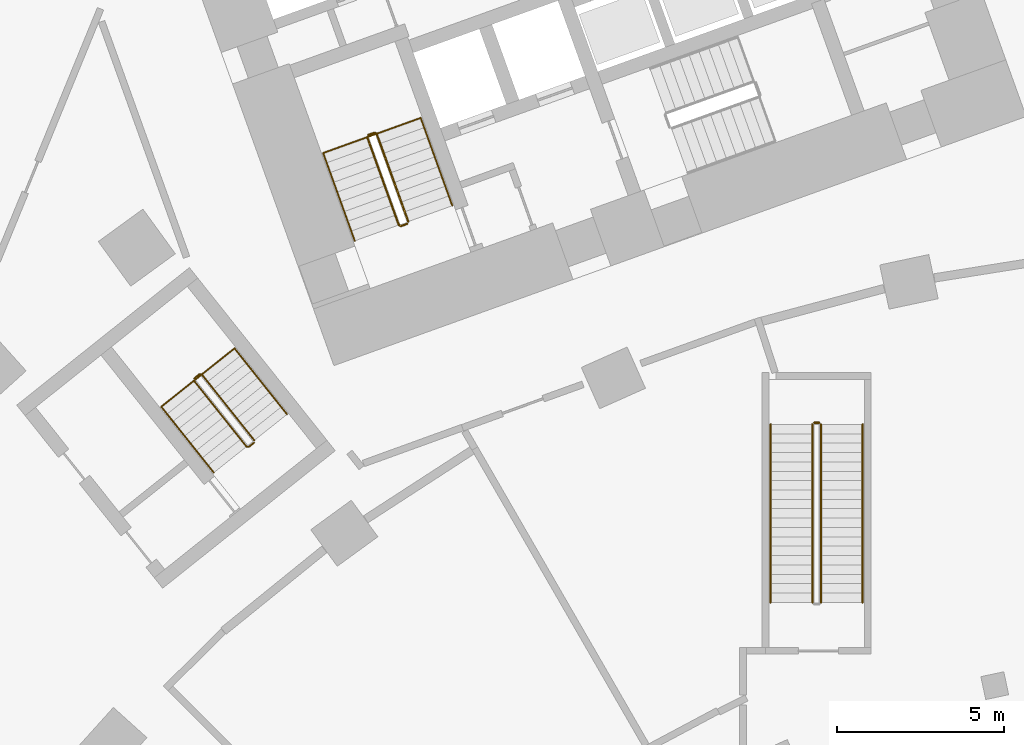
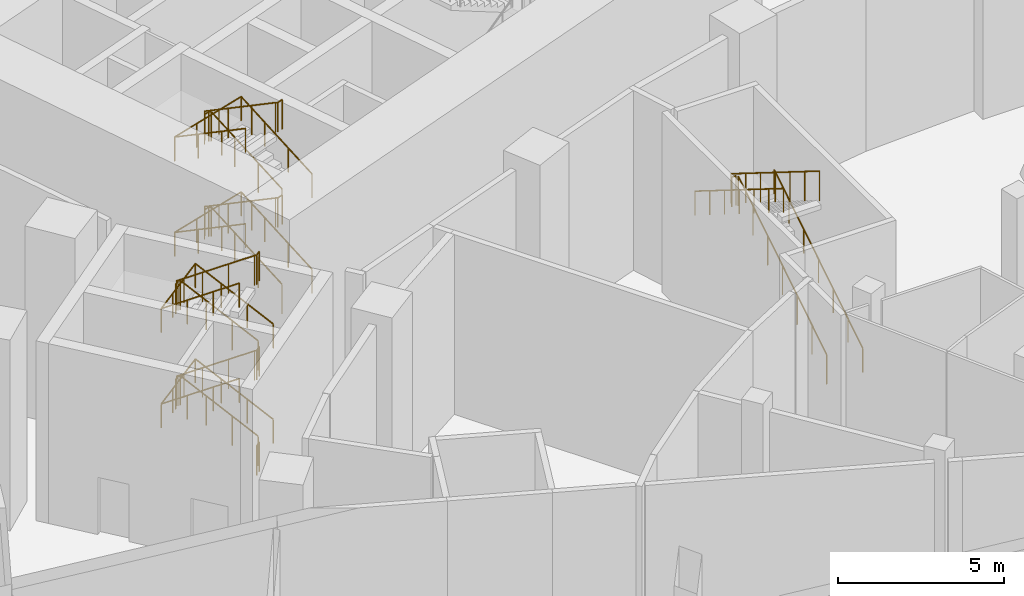
# One storey, part 51 of 60: 18 railings.
"""IFC4 building model written with IfcOpenShell, lengths in metres."""

from ifc_helpers import new_model, si_unit, direction, frame, origin, origin_2d, place, context, subcontext, project, spatial, circle, extrude, material, type_object, element, save


model = new_model("IFC4")

# Units and contexts
model_context = context("Model", 3, precision=1e-05, world=origin(), true_north=direction((0.0, 1.0)))
body_context = subcontext(model_context, "Body", "Model", "MODEL_VIEW")
ifc_project = project(units=[si_unit("LENGTHUNIT", "METRE"), si_unit("AREAUNIT", "SQUARE_METRE"), si_unit("VOLUMEUNIT", "CUBIC_METRE"), si_unit("PLANEANGLEUNIT", "RADIAN"), si_unit("MASSUNIT", "GRAM", prefix="KILO")], contexts=[model_context])

# Site, building, storey
site_placement = place(None, origin())
site = spatial("IfcSite", under=ifc_project, at=site_placement, CompositionType="ELEMENT")
building_placement = place(site_placement, origin())
building = spatial("IfcBuilding", under=site, at=building_placement, Name="Stone Belt Terrace Tower", CompositionType="ELEMENT")
storey_placement = place(building_placement, origin())
storey = spatial("IfcBuildingStorey", under=building, at=storey_placement, Name="L00", CompositionType="ELEMENT", Elevation=0.0)

# Railings
ifc_material_1 = material(Name="Steel balustrade", Category="steel")
railing_type_1 = type_object("IfcRailingType", Name="Podium stair guard", PredefinedType="GUARDRAIL", material=ifc_material_1)
railing_1_placement = place(storey_placement, frame((-11.875, 33.889892578125, 0.175048828125)))
element("IfcRailing", 1, at=railing_1_placement, inside=storey, type_object=railing_type_1, Name="L00 PS5 stair guard 1", PredefinedType="GUARDRAIL", context=body_context, shape_type="SweptSolid", body=[
    extrude(circle(Radius=0.02392578125, at=origin_2d()), frame((0.0, 0.0, 1.076171875), z_axis=(0.0, 0.848004862711, 0.52998844593), x_axis=(-1.0, 0.0, 0.0)), (0.0, 0.0, 1.0), 6.273681640625),
    extrude(circle(Radius=0.02099609375, at=origin_2d()), origin(), (0.0, 0.0, 1.0), 1.052001953125),
    extrude(circle(Radius=0.02099609375, at=origin_2d()), frame((0.0, 0.88671875, 0.55419921875)), (0.0, 0.0, 1.0), 1.052001953125),
    extrude(circle(Radius=0.02099609375, at=origin_2d()), frame((0.0, 1.7734375, 1.1083984375)), (0.0, 0.0, 1.0), 1.052001953125),
    extrude(circle(Radius=0.02099609375, at=origin_2d()), frame((0.0, 2.66015625, 1.66259765625)), (0.0, 0.0, 1.0), 1.052001953125),
    extrude(circle(Radius=0.02099609375, at=origin_2d()), frame((0.0, 3.546630859375, 2.216552734375)), (0.0, 0.0, 1.0), 1.052001953125),
    extrude(circle(Radius=0.02099609375, at=origin_2d()), frame((0.0, 4.433349609375, 2.770751953125)), (0.0, 0.0, 1.0), 1.052001953125),
    extrude(circle(Radius=0.02099609375, at=origin_2d()), frame((0.0, 5.320068359375, 3.324951171875)), (0.0, 0.0, 1.0), 1.052001953125),
])
railing_2_placement = place(storey_placement, frame((-11.925048828125, 39.260009765625, 3.5)))
element("IfcRailing", 2, at=railing_2_placement, inside=storey, type_object=railing_type_1, Name="L00 PS5 stair guard 2", PredefinedType="GUARDRAIL", context=body_context, shape_type="SweptSolid", body=[
    extrude(circle(Radius=0.02392578125, at=origin_2d()), frame((0.0, 0.0, 1.076171875), z_axis=(-1.0, 0.0, 0.0), x_axis=(0.0, -1.0, 0.0)), (0.0, 0.0, 1.0), 0.14990234375),
    extrude(circle(Radius=0.02099609375, at=origin_2d()), origin(), (0.0, 0.0, 1.0), 1.052001953125),
    extrude(circle(Radius=0.02099609375, at=origin_2d()), frame((-0.14990234375, 0.0, 0.0)), (0.0, 0.0, 1.0), 1.052001953125),
])
railing_3_placement = place(storey_placement, frame((-12.125, 39.2099609375, 3.675048828125)))
element("IfcRailing", 3, at=railing_3_placement, inside=storey, type_object=railing_type_1, Name="L00 PS5 stair guard 3", PredefinedType="GUARDRAIL", context=body_context, shape_type="SweptSolid", body=[
    extrude(circle(Radius=0.02392578125, at=origin_2d()), frame((0.0, 0.0, 1.076171875), z_axis=(0.0, -0.848004862711, 0.52998844593), x_axis=(1.0, 0.0, 0.0)), (0.0, 0.0, 1.0), 6.273681640625),
    extrude(circle(Radius=0.02099609375, at=origin_2d()), origin(), (0.0, 0.0, 1.0), 1.052001953125),
    extrude(circle(Radius=0.02099609375, at=origin_2d()), frame((0.0, -0.88671875, 0.55419921875)), (0.0, 0.0, 1.0), 1.052001953125),
    extrude(circle(Radius=0.02099609375, at=origin_2d()), frame((0.0, -1.7734375, 1.1083984375)), (0.0, 0.0, 1.0), 1.052001953125),
    extrude(circle(Radius=0.02099609375, at=origin_2d()), frame((0.0, -2.66015625, 1.66259765625)), (0.0, 0.0, 1.0), 1.052001953125),
    extrude(circle(Radius=0.02099609375, at=origin_2d()), frame((0.0, -3.546630859375, 2.216552734375)), (0.0, 0.0, 1.0), 1.052001953125),
    extrude(circle(Radius=0.02099609375, at=origin_2d()), frame((0.0, -4.433349609375, 2.770751953125)), (0.0, 0.0, 1.0), 1.052001953125),
    extrude(circle(Radius=0.02099609375, at=origin_2d()), frame((0.0, -5.320068359375, 3.324951171875)), (0.0, 0.0, 1.0), 1.052001953125),
])
ifc_material_2 = material(Name="Stainless steel handrail", Category="steel")
railing_type_2 = type_object("IfcRailingType", Name="Podium stair handrail", PredefinedType="HANDRAIL", material=ifc_material_2)
railing_4_placement = place(storey_placement, frame((-10.625, 33.889892578125, 0.175048828125)))
element("IfcRailing", 4, at=railing_4_placement, inside=storey, type_object=railing_type_2, Name="L00 PS5 stair handrail 1", PredefinedType="HANDRAIL", context=body_context, shape_type="SweptSolid", body=[
    extrude(circle(Radius=0.02392578125, at=origin_2d()), frame((0.0, 0.0, 0.8759765625), z_axis=(0.0, 0.848004862711, 0.52998844593), x_axis=(-1.0, 0.0, 0.0)), (0.0, 0.0, 1.0), 6.273681640625),
    extrude(circle(Radius=0.02099609375, at=origin_2d()), origin(), (0.0, 0.0, 1.0), 0.851806640625),
    extrude(circle(Radius=0.02099609375, at=origin_2d()), frame((0.0, 0.88671875, 0.55419921875)), (0.0, 0.0, 1.0), 0.851806640625),
    extrude(circle(Radius=0.02099609375, at=origin_2d()), frame((0.0, 1.7734375, 1.1083984375)), (0.0, 0.0, 1.0), 0.851806640625),
    extrude(circle(Radius=0.02099609375, at=origin_2d()), frame((0.0, 2.66015625, 1.66259765625)), (0.0, 0.0, 1.0), 0.851806640625),
    extrude(circle(Radius=0.02099609375, at=origin_2d()), frame((0.0, 3.546630859375, 2.216552734375)), (0.0, 0.0, 1.0), 0.851806640625),
    extrude(circle(Radius=0.02099609375, at=origin_2d()), frame((0.0, 4.433349609375, 2.770751953125)), (0.0, 0.0, 1.0), 0.851806640625),
    extrude(circle(Radius=0.02099609375, at=origin_2d()), frame((0.0, 5.320068359375, 3.324951171875)), (0.0, 0.0, 1.0), 0.851806640625),
])
railing_5_placement = place(storey_placement, frame((-13.375, 39.2099609375, 3.675048828125)))
element("IfcRailing", 5, at=railing_5_placement, inside=storey, type_object=railing_type_2, Name="L00 PS5 stair handrail 2", PredefinedType="HANDRAIL", context=body_context, shape_type="SweptSolid", body=[
    extrude(circle(Radius=0.02392578125, at=origin_2d()), frame((0.0, 0.0, 0.8759765625), z_axis=(0.0, -0.848004862711, 0.52998844593), x_axis=(1.0, 0.0, 0.0)), (0.0, 0.0, 1.0), 6.273681640625),
    extrude(circle(Radius=0.02099609375, at=origin_2d()), origin(), (0.0, 0.0, 1.0), 0.851806640625),
    extrude(circle(Radius=0.02099609375, at=origin_2d()), frame((0.0, -0.88671875, 0.55419921875)), (0.0, 0.0, 1.0), 0.851806640625),
    extrude(circle(Radius=0.02099609375, at=origin_2d()), frame((0.0, -1.7734375, 1.1083984375)), (0.0, 0.0, 1.0), 0.851806640625),
    extrude(circle(Radius=0.02099609375, at=origin_2d()), frame((0.0, -2.66015625, 1.66259765625)), (0.0, 0.0, 1.0), 0.851806640625),
    extrude(circle(Radius=0.02099609375, at=origin_2d()), frame((0.0, -3.546630859375, 2.216552734375)), (0.0, 0.0, 1.0), 0.851806640625),
    extrude(circle(Radius=0.02099609375, at=origin_2d()), frame((0.0, -4.433349609375, 2.770751953125)), (0.0, 0.0, 1.0), 0.851806640625),
    extrude(circle(Radius=0.02099609375, at=origin_2d()), frame((0.0, -5.320068359375, 3.324951171875)), (0.0, 0.0, 1.0), 0.851806640625),
])
ifc_material_3 = material(Name="Structural steel C345", Category="steel")
railing_type_3 = type_object("IfcRailingType", Name="Stair guard 1100", PredefinedType="GUARDRAIL", material=ifc_material_3)
railing_6_placement = place(storey_placement, frame((-24.2119140625, 45.276123046875, 0.175048828125)))
element("IfcRailing", 6, at=railing_6_placement, inside=storey, type_object=railing_type_3, Name="L00 ST1A stair guard 1", PredefinedType="GUARDRAIL", context=body_context, shape_type="SweptSolid", body=[
    extrude(circle(Radius=0.02392578125, at=origin_2d()), frame((0.0, 0.0, 1.076171875), z_axis=(-0.294915201794, 0.819361304828, 0.491601541801), x_axis=(-0.940907490413, -0.338663689351, 0.0)), (0.0, 0.0, 1.0), 3.20361328125),
    extrude(circle(Radius=0.02392578125, at=origin_2d()), frame((-0.94482421875, 2.625, 2.65087890625), z_axis=(-0.903878284585, 0.427789722475, 0.0), x_axis=(-0.427789722475, -0.903878284585, 0.0)), (0.0, 0.0, 1.0), 0.07080078125),
    extrude(circle(Radius=0.02392578125, at=origin_2d()), frame((-1.0087890625, 2.6552734375, 2.65087890625), z_axis=(-0.940716197853, -0.339194686126, 0.0), x_axis=(0.339194686126, -0.940716197853, 0.0)), (0.0, 0.0, 1.0), 0.2001953125),
    extrude(circle(Radius=0.02099609375, at=origin_2d()), origin(), (0.0, 0.0, 1.0), 1.052001953125),
    extrude(circle(Radius=0.02099609375, at=origin_2d()), frame((-0.31494140625, 0.875, 0.52490234375)), (0.0, 0.0, 1.0), 1.052001953125),
    extrude(circle(Radius=0.02099609375, at=origin_2d()), frame((-0.6298828125, 1.75, 1.050048828125)), (0.0, 0.0, 1.0), 1.052001953125),
    extrude(circle(Radius=0.02099609375, at=origin_2d()), frame((-0.94482421875, 2.625, 1.574951171875)), (0.0, 0.0, 1.0), 1.052001953125),
    extrude(circle(Radius=0.02099609375, at=origin_2d()), frame((-1.0087890625, 2.6552734375, 1.574951171875)), (0.0, 0.0, 1.0), 1.052001953125),
    extrude(circle(Radius=0.02099609375, at=origin_2d()), frame((-1.197021484375, 2.58740234375, 1.574951171875)), (0.0, 0.0, 1.0), 1.052001953125),
])
railing_7_placement = place(storey_placement, frame((-25.43896484375, 47.799560546875, 1.925048828125)))
element("IfcRailing", 7, at=railing_7_placement, inside=storey, type_object=railing_type_3, Name="L00 ST1A stair guard 2", PredefinedType="GUARDRAIL", context=body_context, shape_type="SweptSolid", body=[
    extrude(circle(Radius=0.02392578125, at=origin_2d()), frame((0.0, 0.0, 1.076171875), z_axis=(0.294915201794, -0.819361304828, 0.491601541801), x_axis=(0.940907490413, 0.338663689351, 0.0)), (0.0, 0.0, 1.0), 3.20361328125),
    extrude(circle(Radius=0.02392578125, at=origin_2d()), frame((0.94482421875, -2.625, 2.65087890625), z_axis=(0.903878284585, -0.427789722475, 0.0), x_axis=(0.427789722475, 0.903878284585, 0.0)), (0.0, 0.0, 1.0), 0.07080078125),
    extrude(circle(Radius=0.02392578125, at=origin_2d()), frame((1.0087890625, -2.6552734375, 2.65087890625), z_axis=(0.940575576748, 0.339584429008, 0.0), x_axis=(-0.339584429008, 0.940575576748, 0.0)), (0.0, 0.0, 1.0), 0.199951171875),
    extrude(circle(Radius=0.02099609375, at=origin_2d()), origin(), (0.0, 0.0, 1.0), 1.052001953125),
    extrude(circle(Radius=0.02099609375, at=origin_2d()), frame((0.31494140625, -0.875, 0.52490234375)), (0.0, 0.0, 1.0), 1.052001953125),
    extrude(circle(Radius=0.02099609375, at=origin_2d()), frame((0.6298828125, -1.75, 1.050048828125)), (0.0, 0.0, 1.0), 1.052001953125),
    extrude(circle(Radius=0.02099609375, at=origin_2d()), frame((0.94482421875, -2.625, 1.574951171875)), (0.0, 0.0, 1.0), 1.052001953125),
    extrude(circle(Radius=0.02099609375, at=origin_2d()), frame((1.0087890625, -2.6552734375, 1.574951171875)), (0.0, 0.0, 1.0), 1.052001953125),
    extrude(circle(Radius=0.02099609375, at=origin_2d()), frame((1.19677734375, -2.58740234375, 1.574951171875)), (0.0, 0.0, 1.0), 1.052001953125),
])
railing_8_placement = place(storey_placement, frame((-24.2119140625, 45.276123046875, 3.675048828125)))
element("IfcRailing", 8, at=railing_8_placement, inside=storey, type_object=railing_type_3, Name="L00 ST1A stair guard 3", PredefinedType="GUARDRAIL", context=body_context, shape_type="SweptSolid", body=[
    extrude(circle(Radius=0.02392578125, at=origin_2d()), frame((0.0, 0.0, 1.076171875), z_axis=(-0.294915201794, 0.819361304828, 0.491601541801), x_axis=(-0.940907490413, -0.338663689351, 0.0)), (0.0, 0.0, 1.0), 3.20361328125),
    extrude(circle(Radius=0.02392578125, at=origin_2d()), frame((-0.94482421875, 2.625, 2.65087890625), z_axis=(-0.903878284585, 0.427789722475, 0.0), x_axis=(-0.427789722475, -0.903878284585, 0.0)), (0.0, 0.0, 1.0), 0.07080078125),
    extrude(circle(Radius=0.02392578125, at=origin_2d()), frame((-1.0087890625, 2.6552734375, 2.65087890625), z_axis=(-0.940716197853, -0.339194686126, 0.0), x_axis=(0.339194686126, -0.940716197853, 0.0)), (0.0, 0.0, 1.0), 0.2001953125),
    extrude(circle(Radius=0.02099609375, at=origin_2d()), origin(), (0.0, 0.0, 1.0), 1.052001953125),
    extrude(circle(Radius=0.02099609375, at=origin_2d()), frame((-0.31494140625, 0.875, 0.52490234375)), (0.0, 0.0, 1.0), 1.052001953125),
    extrude(circle(Radius=0.02099609375, at=origin_2d()), frame((-0.6298828125, 1.75, 1.050048828125)), (0.0, 0.0, 1.0), 1.052001953125),
    extrude(circle(Radius=0.02099609375, at=origin_2d()), frame((-0.94482421875, 2.625, 1.574951171875)), (0.0, 0.0, 1.0), 1.052001953125),
    extrude(circle(Radius=0.02099609375, at=origin_2d()), frame((-1.0087890625, 2.6552734375, 1.574951171875)), (0.0, 0.0, 1.0), 1.052001953125),
    extrude(circle(Radius=0.02099609375, at=origin_2d()), frame((-1.197021484375, 2.58740234375, 1.574951171875)), (0.0, 0.0, 1.0), 1.052001953125),
])
railing_9_placement = place(storey_placement, frame((-25.43896484375, 47.799560546875, 5.425048828125)))
element("IfcRailing", 9, at=railing_9_placement, inside=storey, type_object=railing_type_3, Name="L00 ST1A stair guard 4", PredefinedType="GUARDRAIL", context=body_context, shape_type="SweptSolid", body=[
    extrude(circle(Radius=0.02392578125, at=origin_2d()), frame((0.0, 0.0, 1.076171875), z_axis=(0.294915201794, -0.819361304828, 0.491601541801), x_axis=(0.940907490413, 0.338663689351, 0.0)), (0.0, 0.0, 1.0), 3.20361328125),
    extrude(circle(Radius=0.02392578125, at=origin_2d()), frame((0.94482421875, -2.625, 2.65087890625), z_axis=(0.903878284585, -0.427789722475, 0.0), x_axis=(0.427789722475, 0.903878284585, 0.0)), (0.0, 0.0, 1.0), 0.07080078125),
    extrude(circle(Radius=0.02392578125, at=origin_2d()), frame((1.0087890625, -2.6552734375, 2.65087890625), z_axis=(0.940575576748, 0.339584429008, 0.0), x_axis=(-0.339584429008, 0.940575576748, 0.0)), (0.0, 0.0, 1.0), 0.199951171875),
    extrude(circle(Radius=0.02099609375, at=origin_2d()), origin(), (0.0, 0.0, 1.0), 1.052001953125),
    extrude(circle(Radius=0.02099609375, at=origin_2d()), frame((0.31494140625, -0.875, 0.52490234375)), (0.0, 0.0, 1.0), 1.052001953125),
    extrude(circle(Radius=0.02099609375, at=origin_2d()), frame((0.6298828125, -1.75, 1.050048828125)), (0.0, 0.0, 1.0), 1.052001953125),
    extrude(circle(Radius=0.02099609375, at=origin_2d()), frame((0.94482421875, -2.625, 1.574951171875)), (0.0, 0.0, 1.0), 1.052001953125),
    extrude(circle(Radius=0.02099609375, at=origin_2d()), frame((1.0087890625, -2.6552734375, 1.574951171875)), (0.0, 0.0, 1.0), 1.052001953125),
    extrude(circle(Radius=0.02099609375, at=origin_2d()), frame((1.19677734375, -2.58740234375, 1.574951171875)), (0.0, 0.0, 1.0), 1.052001953125),
])
railing_10_placement = place(storey_placement, frame((-28.814208984375, 38.734619140625, 0.175048828125)))
element("IfcRailing", 10, at=railing_10_placement, inside=storey, type_object=railing_type_3, Name="L00 ST3A stair guard 1", PredefinedType="GUARDRAIL", context=body_context, shape_type="SweptSolid", body=[
    extrude(circle(Radius=0.02392578125, at=origin_2d()), frame((0.0, 0.0, 1.076171875), z_axis=(-0.528422739043, 0.663239547931, 0.529983689298), x_axis=(-0.782114881682, -0.623134264707, 0.0)), (0.0, 0.0, 1.0), 2.9716796875),
    extrude(circle(Radius=0.02392578125, at=origin_2d()), frame((-1.5703125, 1.970947265625, 2.65087890625), z_axis=(-0.993883734674, 0.110431526075, 0.0), x_axis=(-0.110431526075, -0.993883734674, 0.0)), (0.0, 0.0, 1.0), 0.07080078125),
    extrude(circle(Radius=0.02392578125, at=origin_2d()), frame((-1.640625, 1.978759765625, 2.65087890625), z_axis=(-0.782059551443, -0.623203705056, 0.0), x_axis=(0.623203705056, -0.782059551443, 0.0)), (0.0, 0.0, 1.0), 0.19970703125),
    extrude(circle(Radius=0.02099609375, at=origin_2d()), origin(), (0.0, 0.0, 1.0), 1.052001953125),
    extrude(circle(Radius=0.02099609375, at=origin_2d()), frame((-0.5234375, 0.656982421875, 0.52490234375)), (0.0, 0.0, 1.0), 1.052001953125),
    extrude(circle(Radius=0.02099609375, at=origin_2d()), frame((-1.046875, 1.31396484375, 1.050048828125)), (0.0, 0.0, 1.0), 1.052001953125),
    extrude(circle(Radius=0.02099609375, at=origin_2d()), frame((-1.5703125, 1.970947265625, 1.574951171875)), (0.0, 0.0, 1.0), 1.052001953125),
    extrude(circle(Radius=0.02099609375, at=origin_2d()), frame((-1.640625, 1.978759765625, 1.574951171875)), (0.0, 0.0, 1.0), 1.052001953125),
    extrude(circle(Radius=0.02099609375, at=origin_2d()), frame((-1.796875, 1.854248046875, 1.574951171875)), (0.0, 0.0, 1.0), 1.052001953125),
])
railing_11_placement = place(storey_placement, frame((-30.619140625, 40.5185546875, 1.925048828125)))
element("IfcRailing", 11, at=railing_11_placement, inside=storey, type_object=railing_type_3, Name="L00 ST3A stair guard 2", PredefinedType="GUARDRAIL", context=body_context, shape_type="SweptSolid", body=[
    extrude(circle(Radius=0.02392578125, at=origin_2d()), frame((0.0, 0.0, 1.076171875), z_axis=(0.528422739043, -0.663239547931, 0.529983689298), x_axis=(0.782114881682, 0.623134264707, 0.0)), (0.0, 0.0, 1.0), 2.9716796875),
    extrude(circle(Radius=0.02392578125, at=origin_2d()), frame((1.5703125, -1.970947265625, 2.65087890625), z_axis=(0.993499272973, -0.113838458361, 0.0), x_axis=(0.113838458361, 0.993499272973, 0.0)), (0.0, 0.0, 1.0), 0.07080078125),
    extrude(circle(Radius=0.02392578125, at=origin_2d()), frame((1.640625, -1.97900390625, 2.65087890625), z_axis=(0.781464082609, 0.623950228458, 0.0), x_axis=(-0.623950228458, 0.781464082609, 0.0)), (0.0, 0.0, 1.0), 0.199951171875),
    extrude(circle(Radius=0.02099609375, at=origin_2d()), origin(), (0.0, 0.0, 1.0), 1.052001953125),
    extrude(circle(Radius=0.02099609375, at=origin_2d()), frame((0.5234375, -0.656982421875, 0.52490234375)), (0.0, 0.0, 1.0), 1.052001953125),
    extrude(circle(Radius=0.02099609375, at=origin_2d()), frame((1.046875, -1.31396484375, 1.050048828125)), (0.0, 0.0, 1.0), 1.052001953125),
    extrude(circle(Radius=0.02099609375, at=origin_2d()), frame((1.5703125, -1.970947265625, 1.574951171875)), (0.0, 0.0, 1.0), 1.052001953125),
    extrude(circle(Radius=0.02099609375, at=origin_2d()), frame((1.640625, -1.97900390625, 1.574951171875)), (0.0, 0.0, 1.0), 1.052001953125),
    extrude(circle(Radius=0.02099609375, at=origin_2d()), frame((1.796875, -1.854248046875, 1.574951171875)), (0.0, 0.0, 1.0), 1.052001953125),
])
railing_12_placement = place(storey_placement, frame((-28.814208984375, 38.734619140625, 3.675048828125)))
element("IfcRailing", 12, at=railing_12_placement, inside=storey, type_object=railing_type_3, Name="L00 ST3A stair guard 3", PredefinedType="GUARDRAIL", context=body_context, shape_type="SweptSolid", body=[
    extrude(circle(Radius=0.02392578125, at=origin_2d()), frame((0.0, 0.0, 1.076171875), z_axis=(-0.528422739043, 0.663239547931, 0.529983689298), x_axis=(-0.782114881682, -0.623134264707, 0.0)), (0.0, 0.0, 1.0), 2.9716796875),
    extrude(circle(Radius=0.02392578125, at=origin_2d()), frame((-1.5703125, 1.970947265625, 2.65087890625), z_axis=(-0.993883734674, 0.110431526075, 0.0), x_axis=(-0.110431526075, -0.993883734674, 0.0)), (0.0, 0.0, 1.0), 0.07080078125),
    extrude(circle(Radius=0.02392578125, at=origin_2d()), frame((-1.640625, 1.978759765625, 2.65087890625), z_axis=(-0.782059551443, -0.623203705056, 0.0), x_axis=(0.623203705056, -0.782059551443, 0.0)), (0.0, 0.0, 1.0), 0.19970703125),
    extrude(circle(Radius=0.02099609375, at=origin_2d()), origin(), (0.0, 0.0, 1.0), 1.052001953125),
    extrude(circle(Radius=0.02099609375, at=origin_2d()), frame((-0.5234375, 0.656982421875, 0.52490234375)), (0.0, 0.0, 1.0), 1.052001953125),
    extrude(circle(Radius=0.02099609375, at=origin_2d()), frame((-1.046875, 1.31396484375, 1.050048828125)), (0.0, 0.0, 1.0), 1.052001953125),
    extrude(circle(Radius=0.02099609375, at=origin_2d()), frame((-1.5703125, 1.970947265625, 1.574951171875)), (0.0, 0.0, 1.0), 1.052001953125),
    extrude(circle(Radius=0.02099609375, at=origin_2d()), frame((-1.640625, 1.978759765625, 1.574951171875)), (0.0, 0.0, 1.0), 1.052001953125),
    extrude(circle(Radius=0.02099609375, at=origin_2d()), frame((-1.796875, 1.854248046875, 1.574951171875)), (0.0, 0.0, 1.0), 1.052001953125),
])
railing_13_placement = place(storey_placement, frame((-30.619140625, 40.5185546875, 5.425048828125)))
element("IfcRailing", 13, at=railing_13_placement, inside=storey, type_object=railing_type_3, Name="L00 ST3A stair guard 4", PredefinedType="GUARDRAIL", context=body_context, shape_type="SweptSolid", body=[
    extrude(circle(Radius=0.02392578125, at=origin_2d()), frame((0.0, 0.0, 1.076171875), z_axis=(0.528422739043, -0.663239547931, 0.529983689298), x_axis=(0.782114881682, 0.623134264707, 0.0)), (0.0, 0.0, 1.0), 2.9716796875),
    extrude(circle(Radius=0.02392578125, at=origin_2d()), frame((1.5703125, -1.970947265625, 2.65087890625), z_axis=(0.993499272973, -0.113838458361, 0.0), x_axis=(0.113838458361, 0.993499272973, 0.0)), (0.0, 0.0, 1.0), 0.07080078125),
    extrude(circle(Radius=0.02392578125, at=origin_2d()), frame((1.640625, -1.97900390625, 2.65087890625), z_axis=(0.781464082609, 0.623950228458, 0.0), x_axis=(-0.623950228458, 0.781464082609, 0.0)), (0.0, 0.0, 1.0), 0.199951171875),
    extrude(circle(Radius=0.02099609375, at=origin_2d()), origin(), (0.0, 0.0, 1.0), 1.052001953125),
    extrude(circle(Radius=0.02099609375, at=origin_2d()), frame((0.5234375, -0.656982421875, 0.52490234375)), (0.0, 0.0, 1.0), 1.052001953125),
    extrude(circle(Radius=0.02099609375, at=origin_2d()), frame((1.046875, -1.31396484375, 1.050048828125)), (0.0, 0.0, 1.0), 1.052001953125),
    extrude(circle(Radius=0.02099609375, at=origin_2d()), frame((1.5703125, -1.970947265625, 1.574951171875)), (0.0, 0.0, 1.0), 1.052001953125),
    extrude(circle(Radius=0.02099609375, at=origin_2d()), frame((1.640625, -1.97900390625, 1.574951171875)), (0.0, 0.0, 1.0), 1.052001953125),
    extrude(circle(Radius=0.02099609375, at=origin_2d()), frame((1.796875, -1.854248046875, 1.574951171875)), (0.0, 0.0, 1.0), 1.052001953125),
])
railing_14_placement = place(storey_placement, frame((-28.822265625, 38.664306640625, 0.0)))
element("IfcRailing", 14, at=railing_14_placement, inside=storey, type_object=railing_type_3, Name="L00 ST3A stair guard 5", PredefinedType="GUARDRAIL", context=body_context, shape_type="SweptSolid", body=[
    extrude(circle(Radius=0.02392578125, at=origin_2d()), frame((0.0, 0.0, 1.076171875), z_axis=(-0.781464082609, -0.623950228458, 0.0), x_axis=(0.623950228458, -0.781464082609, 0.0)), (0.0, 0.0, 1.0), 0.199951171875),
    extrude(circle(Radius=0.02099609375, at=origin_2d()), origin(), (0.0, 0.0, 1.0), 1.052001953125),
    extrude(circle(Radius=0.02099609375, at=origin_2d()), frame((-0.15625, -0.124755859375, 0.0)), (0.0, 0.0, 1.0), 1.052001953125),
])
railing_type_4 = type_object("IfcRailingType", Name="Stair handrail 900", PredefinedType="HANDRAIL", material=ifc_material_3)
railing_15_placement = place(storey_placement, frame((-22.894775390625, 45.750244140625, 0.175048828125)))
element("IfcRailing", 15, at=railing_15_placement, inside=storey, type_object=railing_type_4, Name="L00 ST1A stair handrail 1", PredefinedType="HANDRAIL", context=body_context, shape_type="SweptSolid", body=[
    extrude(circle(Radius=0.02392578125, at=origin_2d()), frame((0.0, 0.0, 0.8759765625), z_axis=(-0.294845621939, 0.819379717522, 0.491612589075), x_axis=(-0.940935373215, -0.338586212702, 0.0)), (0.0, 0.0, 1.0), 3.20361328125),
    extrude(circle(Radius=0.02392578125, at=origin_2d()), frame((-0.944580078125, 2.625, 2.45068359375), z_axis=(-0.93944813549, -0.338022056785, 0.056376323497), x_axis=(0.338560506674, -0.940944622877, 0.0)), (0.0, 0.0, 1.0), 3.10498046875),
    extrude(circle(Radius=0.02392578125, at=origin_2d()), frame((-3.861572265625, 1.575439453125, 2.6259765625), z_axis=(0.29489678821, -0.819386347189, 0.491570847737), x_axis=(0.940917525966, 0.338635806332, 0.0)), (0.0, 0.0, 1.0), 3.203857421875),
    extrude(circle(Radius=0.02099609375, at=origin_2d()), origin(), (0.0, 0.0, 1.0), 0.851806640625),
    extrude(circle(Radius=0.02099609375, at=origin_2d()), frame((-0.31494140625, 0.875, 0.52490234375)), (0.0, 0.0, 1.0), 0.851806640625),
    extrude(circle(Radius=0.02099609375, at=origin_2d()), frame((-0.629638671875, 1.75, 1.050048828125)), (0.0, 0.0, 1.0), 0.851806640625),
    extrude(circle(Radius=0.02099609375, at=origin_2d()), frame((-0.944580078125, 2.625, 1.574951171875)), (0.0, 0.0, 1.0), 0.851806640625),
    extrude(circle(Radius=0.02099609375, at=origin_2d()), frame((-1.9169921875, 2.275146484375, 1.63330078125)), (0.0, 0.0, 1.0), 0.851806640625),
    extrude(circle(Radius=0.02099609375, at=origin_2d()), frame((-2.88916015625, 1.92529296875, 1.691650390625)), (0.0, 0.0, 1.0), 0.851806640625),
    extrude(circle(Radius=0.02099609375, at=origin_2d()), frame((-3.861572265625, 1.575439453125, 1.75)), (0.0, 0.0, 1.0), 0.851806640625),
    extrude(circle(Radius=0.02099609375, at=origin_2d()), frame((-3.546630859375, 0.700439453125, 2.27490234375)), (0.0, 0.0, 1.0), 0.851806640625),
    extrude(circle(Radius=0.02099609375, at=origin_2d()), frame((-3.231689453125, -0.1748046875, 2.800048828125)), (0.0, 0.0, 1.0), 0.851806640625),
    extrude(circle(Radius=0.02099609375, at=origin_2d()), frame((-2.916748046875, -1.0498046875, 3.324951171875)), (0.0, 0.0, 1.0), 0.851806640625),
])
railing_16_placement = place(storey_placement, frame((-22.894775390625, 45.750244140625, 3.675048828125)))
element("IfcRailing", 16, at=railing_16_placement, inside=storey, type_object=railing_type_4, Name="L00 ST1A stair handrail 2", PredefinedType="HANDRAIL", context=body_context, shape_type="SweptSolid", body=[
    extrude(circle(Radius=0.02392578125, at=origin_2d()), frame((0.0, 0.0, 0.8759765625), z_axis=(-0.294845621939, 0.819379717522, 0.491612589075), x_axis=(-0.940935373215, -0.338586212702, 0.0)), (0.0, 0.0, 1.0), 3.20361328125),
    extrude(circle(Radius=0.02392578125, at=origin_2d()), frame((-0.944580078125, 2.625, 2.45068359375), z_axis=(-0.93944813549, -0.338022056785, 0.056376323497), x_axis=(0.338560506674, -0.940944622877, 0.0)), (0.0, 0.0, 1.0), 3.10498046875),
    extrude(circle(Radius=0.02392578125, at=origin_2d()), frame((-3.861572265625, 1.575439453125, 2.6259765625), z_axis=(0.29489678821, -0.819386347189, 0.491570847737), x_axis=(0.940917525966, 0.338635806332, 0.0)), (0.0, 0.0, 1.0), 3.203857421875),
    extrude(circle(Radius=0.02099609375, at=origin_2d()), origin(), (0.0, 0.0, 1.0), 0.851806640625),
    extrude(circle(Radius=0.02099609375, at=origin_2d()), frame((-0.31494140625, 0.875, 0.52490234375)), (0.0, 0.0, 1.0), 0.851806640625),
    extrude(circle(Radius=0.02099609375, at=origin_2d()), frame((-0.629638671875, 1.75, 1.050048828125)), (0.0, 0.0, 1.0), 0.851806640625),
    extrude(circle(Radius=0.02099609375, at=origin_2d()), frame((-0.944580078125, 2.625, 1.574951171875)), (0.0, 0.0, 1.0), 0.851806640625),
    extrude(circle(Radius=0.02099609375, at=origin_2d()), frame((-1.9169921875, 2.275146484375, 1.63330078125)), (0.0, 0.0, 1.0), 0.851806640625),
    extrude(circle(Radius=0.02099609375, at=origin_2d()), frame((-2.88916015625, 1.92529296875, 1.691650390625)), (0.0, 0.0, 1.0), 0.851806640625),
    extrude(circle(Radius=0.02099609375, at=origin_2d()), frame((-3.861572265625, 1.575439453125, 1.75)), (0.0, 0.0, 1.0), 0.851806640625),
    extrude(circle(Radius=0.02099609375, at=origin_2d()), frame((-3.546630859375, 0.700439453125, 2.27490234375)), (0.0, 0.0, 1.0), 0.851806640625),
    extrude(circle(Radius=0.02099609375, at=origin_2d()), frame((-3.231689453125, -0.1748046875, 2.800048828125)), (0.0, 0.0, 1.0), 0.851806640625),
    extrude(circle(Radius=0.02099609375, at=origin_2d()), frame((-2.916748046875, -1.0498046875, 3.324951171875)), (0.0, 0.0, 1.0), 0.851806640625),
])
railing_17_placement = place(storey_placement, frame((-27.836669921875, 39.513427734375, 0.175048828125)))
element("IfcRailing", 17, at=railing_17_placement, inside=storey, type_object=railing_type_4, Name="L00 ST3A stair handrail 1", PredefinedType="HANDRAIL", context=body_context, shape_type="SweptSolid", body=[
    extrude(circle(Radius=0.02392578125, at=origin_2d()), frame((0.0, 0.0, 0.8759765625), z_axis=(-0.528363520177, 0.663268340598, 0.530006697039), x_axis=(-0.782162098133, -0.623074997287, 0.0)), (0.0, 0.0, 1.0), 2.9716796875),
    extrude(circle(Radius=0.02392578125, at=origin_2d()), frame((-1.570068359375, 1.970947265625, 2.45068359375), z_axis=(-0.780619118582, -0.621884528582, 0.062397314161), x_axis=(0.623098705543, -0.782143211408, 0.0)), (0.0, 0.0, 1.0), 2.805419921875),
    extrude(circle(Radius=0.02392578125, at=origin_2d()), frame((-3.760009765625, 0.226318359375, 2.6259765625), z_axis=(0.528363520177, -0.663268340598, 0.530006697039), x_axis=(0.782162098133, 0.623074997287, 0.0)), (0.0, 0.0, 1.0), 2.9716796875),
    extrude(circle(Radius=0.02099609375, at=origin_2d()), origin(), (0.0, 0.0, 1.0), 0.851806640625),
    extrude(circle(Radius=0.02099609375, at=origin_2d()), frame((-0.5234375, 0.656982421875, 0.52490234375)), (0.0, 0.0, 1.0), 0.851806640625),
    extrude(circle(Radius=0.02099609375, at=origin_2d()), frame((-1.046630859375, 1.31396484375, 1.050048828125)), (0.0, 0.0, 1.0), 0.851806640625),
    extrude(circle(Radius=0.02099609375, at=origin_2d()), frame((-1.570068359375, 1.970947265625, 1.574951171875)), (0.0, 0.0, 1.0), 0.851806640625),
    extrude(circle(Radius=0.02099609375, at=origin_2d()), frame((-2.300048828125, 1.389404296875, 1.63330078125)), (0.0, 0.0, 1.0), 0.851806640625),
    extrude(circle(Radius=0.02099609375, at=origin_2d()), frame((-3.030029296875, 0.807861328125, 1.691650390625)), (0.0, 0.0, 1.0), 0.851806640625),
    extrude(circle(Radius=0.02099609375, at=origin_2d()), frame((-3.760009765625, 0.226318359375, 1.75)), (0.0, 0.0, 1.0), 0.851806640625),
    extrude(circle(Radius=0.02099609375, at=origin_2d()), frame((-3.236572265625, -0.4306640625, 2.27490234375)), (0.0, 0.0, 1.0), 0.851806640625),
    extrude(circle(Radius=0.02099609375, at=origin_2d()), frame((-2.71337890625, -1.087646484375, 2.800048828125)), (0.0, 0.0, 1.0), 0.851806640625),
    extrude(circle(Radius=0.02099609375, at=origin_2d()), frame((-2.18994140625, -1.74462890625, 3.324951171875)), (0.0, 0.0, 1.0), 0.851806640625),
])
railing_18_placement = place(storey_placement, frame((-27.836669921875, 39.513427734375, 3.675048828125)))
element("IfcRailing", 18, at=railing_18_placement, inside=storey, type_object=railing_type_4, Name="L00 ST3A stair handrail 2", PredefinedType="HANDRAIL", context=body_context, shape_type="SweptSolid", body=[
    extrude(circle(Radius=0.02392578125, at=origin_2d()), frame((0.0, 0.0, 0.8759765625), z_axis=(-0.528363520177, 0.663268340598, 0.530006697039), x_axis=(-0.782162098133, -0.623074997287, 0.0)), (0.0, 0.0, 1.0), 2.9716796875),
    extrude(circle(Radius=0.02392578125, at=origin_2d()), frame((-1.570068359375, 1.970947265625, 2.45068359375), z_axis=(-0.780619118582, -0.621884528582, 0.062397314161), x_axis=(0.623098705543, -0.782143211408, 0.0)), (0.0, 0.0, 1.0), 2.805419921875),
    extrude(circle(Radius=0.02392578125, at=origin_2d()), frame((-3.760009765625, 0.226318359375, 2.6259765625), z_axis=(0.528363520177, -0.663268340598, 0.530006697039), x_axis=(0.782162098133, 0.623074997287, 0.0)), (0.0, 0.0, 1.0), 2.9716796875),
    extrude(circle(Radius=0.02099609375, at=origin_2d()), origin(), (0.0, 0.0, 1.0), 0.851806640625),
    extrude(circle(Radius=0.02099609375, at=origin_2d()), frame((-0.5234375, 0.656982421875, 0.52490234375)), (0.0, 0.0, 1.0), 0.851806640625),
    extrude(circle(Radius=0.02099609375, at=origin_2d()), frame((-1.046630859375, 1.31396484375, 1.050048828125)), (0.0, 0.0, 1.0), 0.851806640625),
    extrude(circle(Radius=0.02099609375, at=origin_2d()), frame((-1.570068359375, 1.970947265625, 1.574951171875)), (0.0, 0.0, 1.0), 0.851806640625),
    extrude(circle(Radius=0.02099609375, at=origin_2d()), frame((-2.300048828125, 1.389404296875, 1.63330078125)), (0.0, 0.0, 1.0), 0.851806640625),
    extrude(circle(Radius=0.02099609375, at=origin_2d()), frame((-3.030029296875, 0.807861328125, 1.691650390625)), (0.0, 0.0, 1.0), 0.851806640625),
    extrude(circle(Radius=0.02099609375, at=origin_2d()), frame((-3.760009765625, 0.226318359375, 1.75)), (0.0, 0.0, 1.0), 0.851806640625),
    extrude(circle(Radius=0.02099609375, at=origin_2d()), frame((-3.236572265625, -0.4306640625, 2.27490234375)), (0.0, 0.0, 1.0), 0.851806640625),
    extrude(circle(Radius=0.02099609375, at=origin_2d()), frame((-2.71337890625, -1.087646484375, 2.800048828125)), (0.0, 0.0, 1.0), 0.851806640625),
    extrude(circle(Radius=0.02099609375, at=origin_2d()), frame((-2.18994140625, -1.74462890625, 3.324951171875)), (0.0, 0.0, 1.0), 0.851806640625),
])

save(model, "model.ifc")
